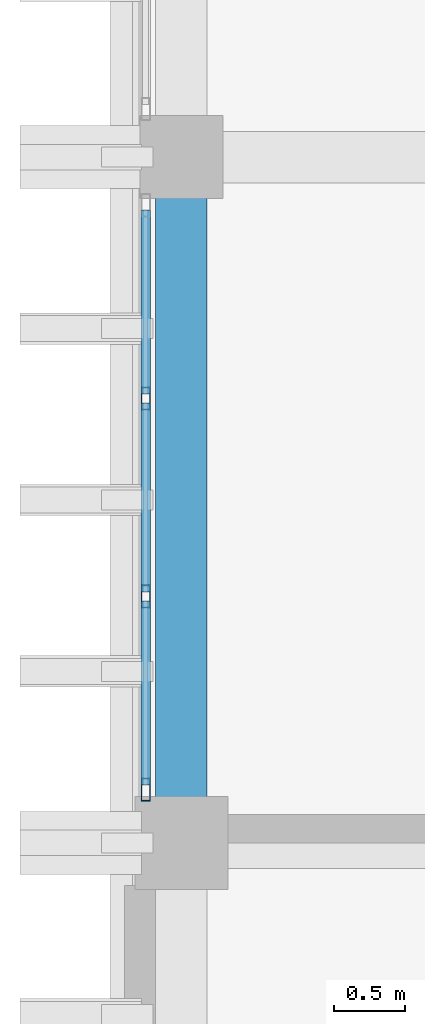
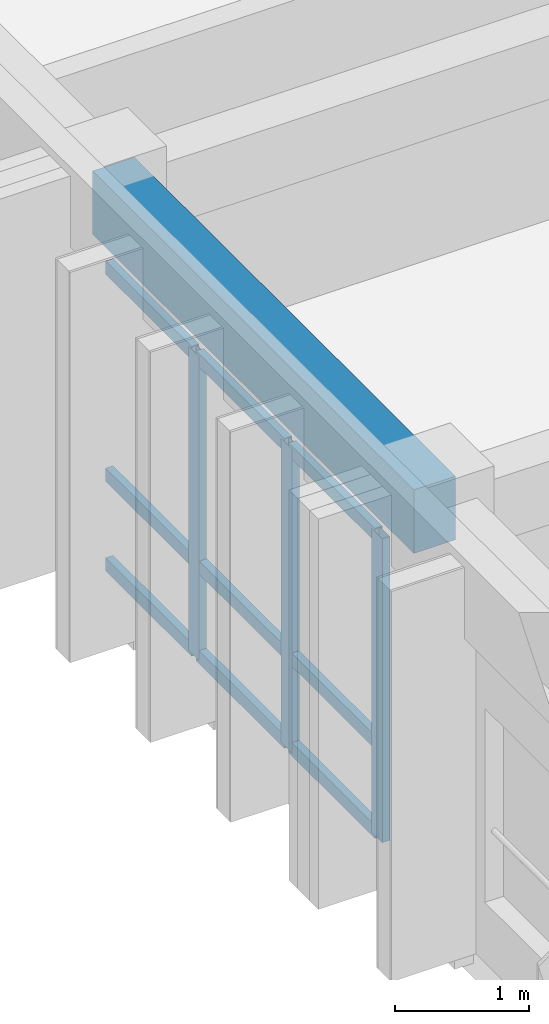
# One storey, part 4 of 49: 12 members, 1 beam, 1 element without a shape of its own.
"""IFC4 building model written with IfcOpenShell, lengths in metres."""

from ifc_helpers import new_model, si_unit, direction, frame, origin, origin_2d, place, context, subcontext, project, spatial, rectangle, hollow_rectangle, extrude, material, layer, layer_set, material_profile, profile_set, type_object, element, aggregate, save


model = new_model("IFC4")

# Units and contexts
model_context = context("Model", 3, precision=1e-05, world=origin(), true_north=direction((0.0, 1.0)))
body_context = subcontext(model_context, "Body", "Model", "MODEL_VIEW")
ifc_project = project(units=[si_unit("LENGTHUNIT", "METRE"), si_unit("AREAUNIT", "SQUARE_METRE"), si_unit("VOLUMEUNIT", "CUBIC_METRE"), si_unit("PLANEANGLEUNIT", "RADIAN"), si_unit("MASSUNIT", "GRAM", prefix="KILO")], contexts=[model_context])

# Site, building, storey
site_placement = place(None, origin())
site = spatial("IfcSite", under=ifc_project, at=site_placement, CompositionType="ELEMENT")
building_placement = place(site_placement, origin())
building = spatial("IfcBuilding", under=site, at=building_placement, Name="Nakhvara Creek Congress Hotel", CompositionType="ELEMENT")
storey_placement = place(building_placement, frame((0.0, 0.0, 39.0)))
storey = spatial("IfcBuildingStorey", under=building, at=storey_placement, Name="L09", CompositionType="ELEMENT", Elevation=39.0)

# Beam
ifc_material_1 = material(Name="Concrete C40/50", Category="concrete")
ifc_material_profile_1 = material_profile(ifc_material_1, rectangle(XDim=0.360107421875, YDim=0.580078125, at=origin_2d()), Name="RC-BM 360x580", Category="LoadBearing")
ifc_profile_set_1 = profile_set([ifc_material_profile_1], Name="Concrete C40/50")
beam_type = type_object("IfcBeamType", Name="BM-RC-360X580", PredefinedType="BEAM", material=ifc_profile_set_1)
beam_placement = place(storey_placement, frame((149.449951171875, 67.199951171875, 3.070068359375), z_axis=(0.0, 1.0, 0.0), x_axis=(-1.0, 0.0, 0.0)))
element("IfcBeam", 1, at=beam_placement, inside=storey, type_object=beam_type, Name="Beam B09-L09-2537", PredefinedType="BEAM", context=body_context, shape_type="SweptSolid", body=[
    extrude(rectangle(XDim=0.360107421875, YDim=0.580078125, at=origin_2d()), origin(), (0.0, 0.0, 1.0), 4.800048828125),
])

# Curtain wall, members
ifc_material_2 = material(Name="Bronze-anodised aluminium AW-6063-T6 and double-silver low-E glass", Category="aluminium")
ifc_layer = layer(ifc_material_2, 0.199951171875)
ifc_layer_set = layer_set([ifc_layer], Name="Bronze-anodised aluminium AW-6063-T6 and double-silver low-E glass")
curtain_wall_type = type_object("IfcCurtainWallType", Name="CW-HTL-UNIT", PredefinedType="USERDEFINED", material=ifc_layer_set)
curtain_wall_placement = place(storey_placement, origin())
curtain_wall = element("IfcCurtainWall", 2, at=curtain_wall_placement, inside=storey, type_object=curtain_wall_type, Name="Curtain Wall CW298", ObjectType="UNITISED", PredefinedType="USERDEFINED")
ifc_material_3 = material(Name="Bronze-anodised aluminium AW-6063-T6", Category="aluminium")
ifc_material_profile_2 = material_profile(ifc_material_3, hollow_rectangle(XDim=0.06494140625, YDim=0.159912109375, WallThickness=0.00390625, at=origin_2d()), Name="ALU-MULL 65x160x4", Category="LoadBearing")
ifc_profile_set_2 = profile_set([ifc_material_profile_2], Name="Bronze-anodised aluminium AW-6063-T6")
member_type_1 = type_object("IfcMemberType", Name="CW-MULL-160", PredefinedType="MULLION", material=ifc_profile_set_2)
member_1_placement = place(storey_placement, frame((149.199951171875, 67.572509765625, 0.0), z_axis=(0.0, 0.0, 1.0), x_axis=(-1.0, 0.0, 0.0)))
member_1 = element("IfcMember", 3, at=member_1_placement, type_object=member_type_1, Name="CW298 mullion 1", PredefinedType="MULLION", context=body_context, shape_type="SweptSolid", body=[
    extrude(hollow_rectangle(XDim=0.06494140625, YDim=0.159912109375, WallThickness=0.00390625, at=origin_2d()), origin(), (0.0, 0.0, 1.0), 2.77197265625),
])
member_2_placement = place(storey_placement, frame((149.199951171875, 68.925048828125, 0.0), z_axis=(0.0, 0.0, 1.0), x_axis=(-1.0, 0.0, 0.0)))
member_2 = element("IfcMember", 4, at=member_2_placement, type_object=member_type_1, Name="CW298 mullion 2", PredefinedType="MULLION", context=body_context, shape_type="SweptSolid", body=[
    extrude(hollow_rectangle(XDim=0.06494140625, YDim=0.159912109375, WallThickness=0.00390625, at=origin_2d()), origin(), (0.0, 0.0, 1.0), 2.77197265625),
])
member_3_placement = place(storey_placement, frame((149.199951171875, 70.31005859375, 0.0), z_axis=(0.0, 0.0, 1.0), x_axis=(-1.0, 0.0, 0.0)))
member_3 = element("IfcMember", 5, at=member_3_placement, type_object=member_type_1, Name="CW298 mullion 3", PredefinedType="MULLION", context=body_context, shape_type="SweptSolid", body=[
    extrude(hollow_rectangle(XDim=0.06494140625, YDim=0.159912109375, WallThickness=0.00390625, at=origin_2d()), origin(), (0.0, 0.0, 1.0), 2.77197265625),
])
ifc_material_profile_3 = material_profile(ifc_material_3, hollow_rectangle(XDim=0.06494140625, YDim=0.1201171875, WallThickness=0.00390625, at=origin_2d()), Name="ALU-TRAN 65x120x4", Category="LoadBearing")
ifc_profile_set_3 = profile_set([ifc_material_profile_3], Name="Bronze-anodised aluminium AW-6063-T6")
member_type_2 = type_object("IfcMemberType", Name="CW-TRAN-120", PredefinedType="USERDEFINED", material=ifc_profile_set_3)
member_4_placement = place(storey_placement, frame((149.199951171875, 67.60498046875, 0.032470703125), z_axis=(0.0, 1.0, 0.0), x_axis=(-1.0, 0.0, 0.0)))
member_4 = element("IfcMember", 6, at=member_4_placement, type_object=member_type_2, Name="CW298 transom 1.1", ObjectType="TRANSOM", PredefinedType="USERDEFINED", context=body_context, shape_type="SweptSolid", body=[
    extrude(hollow_rectangle(XDim=0.06494140625, YDim=0.1201171875, WallThickness=0.00390625, at=origin_2d()), origin(), (0.0, 0.0, 1.0), 1.28759765625),
])
member_5_placement = place(storey_placement, frame((149.199951171875, 67.60498046875, 0.85009765625), z_axis=(0.0, 1.0, 0.0), x_axis=(-1.0, 0.0, 0.0)))
member_5 = element("IfcMember", 7, at=member_5_placement, type_object=member_type_2, Name="CW298 transom 1.2", ObjectType="TRANSOM", PredefinedType="USERDEFINED", context=body_context, shape_type="SweptSolid", body=[
    extrude(hollow_rectangle(XDim=0.06494140625, YDim=0.1201171875, WallThickness=0.00390625, at=origin_2d()), origin(), (0.0, 0.0, 1.0), 1.28759765625),
])
member_6_placement = place(storey_placement, frame((149.199951171875, 67.60498046875, 2.739501953125), z_axis=(0.0, 1.0, 0.0), x_axis=(-1.0, 0.0, 0.0)))
member_6 = element("IfcMember", 8, at=member_6_placement, type_object=member_type_2, Name="CW298 transom 1.3", ObjectType="TRANSOM", PredefinedType="USERDEFINED", context=body_context, shape_type="SweptSolid", body=[
    extrude(hollow_rectangle(XDim=0.06494140625, YDim=0.1201171875, WallThickness=0.00390625, at=origin_2d()), origin(), (0.0, 0.0, 1.0), 1.28759765625),
])
member_7_placement = place(storey_placement, frame((149.199951171875, 68.95751953125, 0.032470703125), z_axis=(0.0, 1.0, 0.0), x_axis=(-1.0, 0.0, 0.0)))
member_7 = element("IfcMember", 9, at=member_7_placement, type_object=member_type_2, Name="CW298 transom 2.1", ObjectType="TRANSOM", PredefinedType="USERDEFINED", context=body_context, shape_type="SweptSolid", body=[
    extrude(hollow_rectangle(XDim=0.06494140625, YDim=0.1201171875, WallThickness=0.00390625, at=origin_2d()), origin(), (0.0, 0.0, 1.0), 1.320068359375),
])
member_8_placement = place(storey_placement, frame((149.199951171875, 68.95751953125, 0.85009765625), z_axis=(0.0, 1.0, 0.0), x_axis=(-1.0, 0.0, 0.0)))
member_8 = element("IfcMember", 10, at=member_8_placement, type_object=member_type_2, Name="CW298 transom 2.2", ObjectType="TRANSOM", PredefinedType="USERDEFINED", context=body_context, shape_type="SweptSolid", body=[
    extrude(hollow_rectangle(XDim=0.06494140625, YDim=0.1201171875, WallThickness=0.00390625, at=origin_2d()), origin(), (0.0, 0.0, 1.0), 1.320068359375),
])
member_9_placement = place(storey_placement, frame((149.199951171875, 68.95751953125, 2.739501953125), z_axis=(0.0, 1.0, 0.0), x_axis=(-1.0, 0.0, 0.0)))
member_9 = element("IfcMember", 11, at=member_9_placement, type_object=member_type_2, Name="CW298 transom 2.3", ObjectType="TRANSOM", PredefinedType="USERDEFINED", context=body_context, shape_type="SweptSolid", body=[
    extrude(hollow_rectangle(XDim=0.06494140625, YDim=0.1201171875, WallThickness=0.00390625, at=origin_2d()), origin(), (0.0, 0.0, 1.0), 1.320068359375),
])
member_10_placement = place(storey_placement, frame((149.199951171875, 70.342529296875, 0.032470703125), z_axis=(0.0, 1.0, 0.0), x_axis=(-1.0, 0.0, 0.0)))
member_10 = element("IfcMember", 12, at=member_10_placement, type_object=member_type_2, Name="CW298 transom 3.1", ObjectType="TRANSOM", PredefinedType="USERDEFINED", context=body_context, shape_type="SweptSolid", body=[
    extrude(hollow_rectangle(XDim=0.06494140625, YDim=0.1201171875, WallThickness=0.00390625, at=origin_2d()), origin(), (0.0, 0.0, 1.0), 1.287353515625),
])
member_11_placement = place(storey_placement, frame((149.199951171875, 70.342529296875, 0.85009765625), z_axis=(0.0, 1.0, 0.0), x_axis=(-1.0, 0.0, 0.0)))
member_11 = element("IfcMember", 13, at=member_11_placement, type_object=member_type_2, Name="CW298 transom 3.2", ObjectType="TRANSOM", PredefinedType="USERDEFINED", context=body_context, shape_type="SweptSolid", body=[
    extrude(hollow_rectangle(XDim=0.06494140625, YDim=0.1201171875, WallThickness=0.00390625, at=origin_2d()), origin(), (0.0, 0.0, 1.0), 1.287353515625),
])
member_12_placement = place(storey_placement, frame((149.199951171875, 70.342529296875, 2.739501953125), z_axis=(0.0, 1.0, 0.0), x_axis=(-1.0, 0.0, 0.0)))
member_12 = element("IfcMember", 14, at=member_12_placement, type_object=member_type_2, Name="CW298 transom 3.3", ObjectType="TRANSOM", PredefinedType="USERDEFINED", context=body_context, shape_type="SweptSolid", body=[
    extrude(hollow_rectangle(XDim=0.06494140625, YDim=0.1201171875, WallThickness=0.00390625, at=origin_2d()), origin(), (0.0, 0.0, 1.0), 1.287353515625),
])
aggregate(curtain_wall, [member_1, member_2, member_3, member_4, member_5, member_6, member_7, member_8, member_9, member_10, member_11, member_12])

save(model, "model.ifc")
